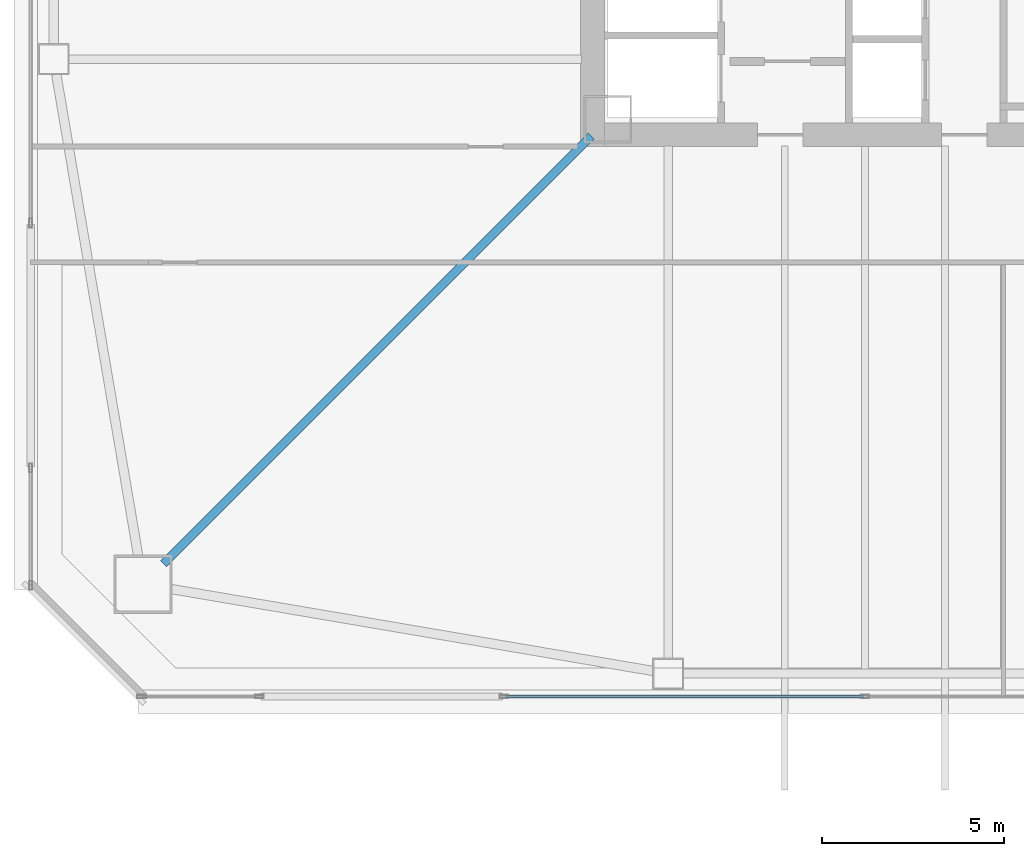
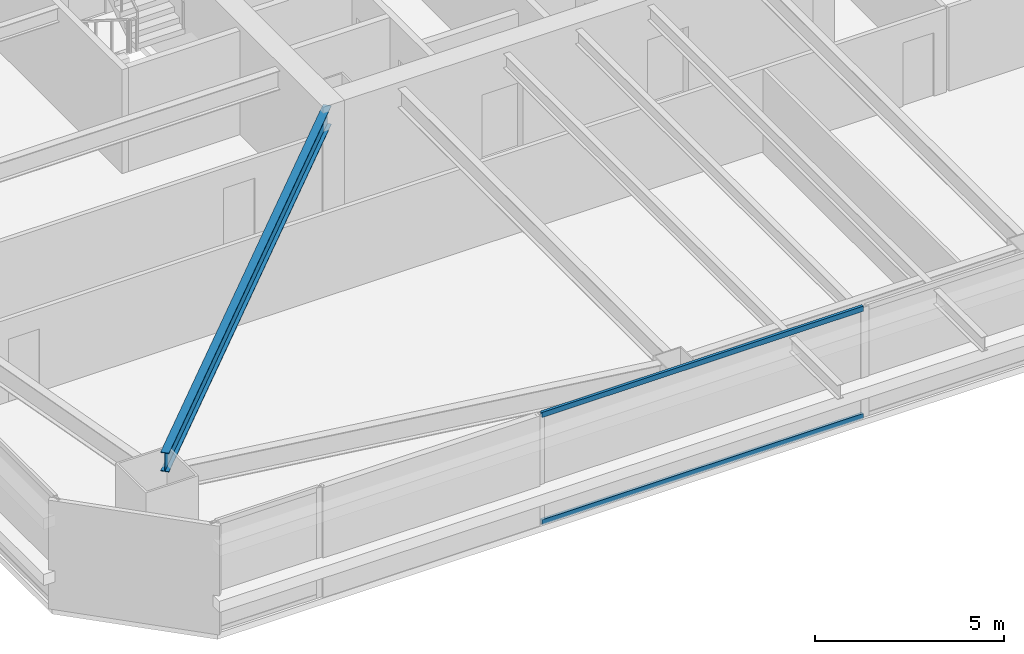
# One storey, part 4 of 48: 2 members, 1 beam, 1 element without a shape of its own.
"""IFC4 building model written with IfcOpenShell, lengths in metres."""

from ifc_helpers import new_model, si_unit, direction, frame, origin, origin_2d, place, context, subcontext, project, spatial, hollow_rectangle, i_section, extrude, material, material_profile, profile_set, type_object, element, aggregate, save


model = new_model("IFC4")

# Units and contexts
model_context = context("Model", 3, precision=1e-05, world=origin(), true_north=direction((0.0, 1.0)))
body_context = subcontext(model_context, "Body", "Model", "MODEL_VIEW")
ifc_project = project(units=[si_unit("LENGTHUNIT", "METRE"), si_unit("AREAUNIT", "SQUARE_METRE"), si_unit("VOLUMEUNIT", "CUBIC_METRE"), si_unit("PLANEANGLEUNIT", "RADIAN"), si_unit("MASSUNIT", "GRAM", prefix="KILO")], contexts=[model_context])

# Site, building, storey
site_placement = place(None, origin())
site = spatial("IfcSite", under=ifc_project, at=site_placement, CompositionType="ELEMENT")
building_placement = place(site_placement, origin())
building = spatial("IfcBuilding", under=site, at=building_placement, Name="Tashvorn Skyway Center", CompositionType="ELEMENT")
storey_placement = place(building_placement, frame((0.0, 0.0, 53.0)))
storey = spatial("IfcBuildingStorey", under=building, at=storey_placement, Name="L13", CompositionType="ELEMENT", Elevation=53.0)

# Beam
ifc_material_1 = material(Name="Steel ASTM A992 Grade 50", Category="steel")
ifc_material_profile_1 = material_profile(ifc_material_1, i_section(OverallWidth=0.22998046875, OverallDepth=0.616943359375, WebThickness=0.01318359375, FlangeThickness=0.022216796875, at=origin_2d()), Name="W24X94")
ifc_profile_set_1 = profile_set([ifc_material_profile_1], Name="Steel ASTM A992 Grade 50")
beam_type = type_object("IfcBeamType", Name="BM-BEAM-W24X94", PredefinedType="BEAM", material=ifc_profile_set_1)
beam_placement = place(storey_placement, frame((22.76220703125, 12.76220703125, 3.04150390625), z_axis=(0.707106781187, 0.707106781187, 0.0), x_axis=(-0.707106781187, 0.707106781187, 0.0)))
element("IfcBeam", 1, at=beam_placement, inside=storey, type_object=beam_type, Name="Tower 1 L13 Primary Floor Girder MC-SW", PredefinedType="BEAM", context=body_context, shape_type="SweptSolid", body=[
    extrude(i_section(OverallWidth=0.22998046875, OverallDepth=0.616943359375, WebThickness=0.01318359375, FlangeThickness=0.022216796875, at=origin_2d()), origin(), (0.0, 0.0, 1.0), 16.591064453125),
])

# Curtain wall, members
ifc_material_2 = material(Name="Thermally broken bronze-anodized aluminium 6063-T6", Category="aluminium")
curtain_wall_type = type_object("IfcCurtainWallType", Name="CW-CW-Z1", PredefinedType="NOTDEFINED", material=ifc_material_2)
curtain_wall_placement = place(storey_placement, origin())
curtain_wall = element("IfcCurtainWall", 2, at=curtain_wall_placement, inside=storey, type_object=curtain_wall_type, Name="Tower 1 L13 South Unitised Curtain Wall Glazing Group 2", PredefinedType="NOTDEFINED")
ifc_material_profile_2 = material_profile(ifc_material_2, hollow_rectangle(XDim=0.0849609375, YDim=0.1650390625, WallThickness=0.0048828125, at=origin_2d()), Name="ALU-TRAN-85x165")
ifc_profile_set_2 = profile_set([ifc_material_profile_2], Name="Thermally broken bronze-anodized aluminium 6063-T6")
member_type = type_object("IfcMemberType", Name="CWT-CW-Z1", PredefinedType="USERDEFINED", material=ifc_profile_set_2)
member_1_placement = place(storey_placement, frame((41.95751953125, 9.1201171875, 0.04248046875), z_axis=(-1.0, 0.0, 0.0), x_axis=(0.0, -1.0, 0.0)))
member_1 = element("IfcMember", 3, at=member_1_placement, type_object=member_type, Name="CW-Z1 transom 2.1", ObjectType="TRANSOM", PredefinedType="USERDEFINED", context=body_context, shape_type="SweptSolid", body=[
    extrude(hollow_rectangle(XDim=0.0849609375, YDim=0.1650390625, WallThickness=0.0048828125, at=origin_2d()), origin(), (0.0, 0.0, 1.0), 9.8125),
])
member_2_placement = place(storey_placement, frame((41.95751953125, 9.1201171875, 3.507568359375), z_axis=(-1.0, 0.0, 0.0), x_axis=(0.0, -1.0, 0.0)))
member_2 = element("IfcMember", 4, at=member_2_placement, type_object=member_type, Name="CW-Z1 transom 2.2", ObjectType="TRANSOM", PredefinedType="USERDEFINED", context=body_context, shape_type="SweptSolid", body=[
    extrude(hollow_rectangle(XDim=0.0849609375, YDim=0.1650390625, WallThickness=0.0048828125, at=origin_2d()), origin(), (0.0, 0.0, 1.0), 9.8125),
])
aggregate(curtain_wall, [member_1, member_2])

save(model, "model.ifc")
